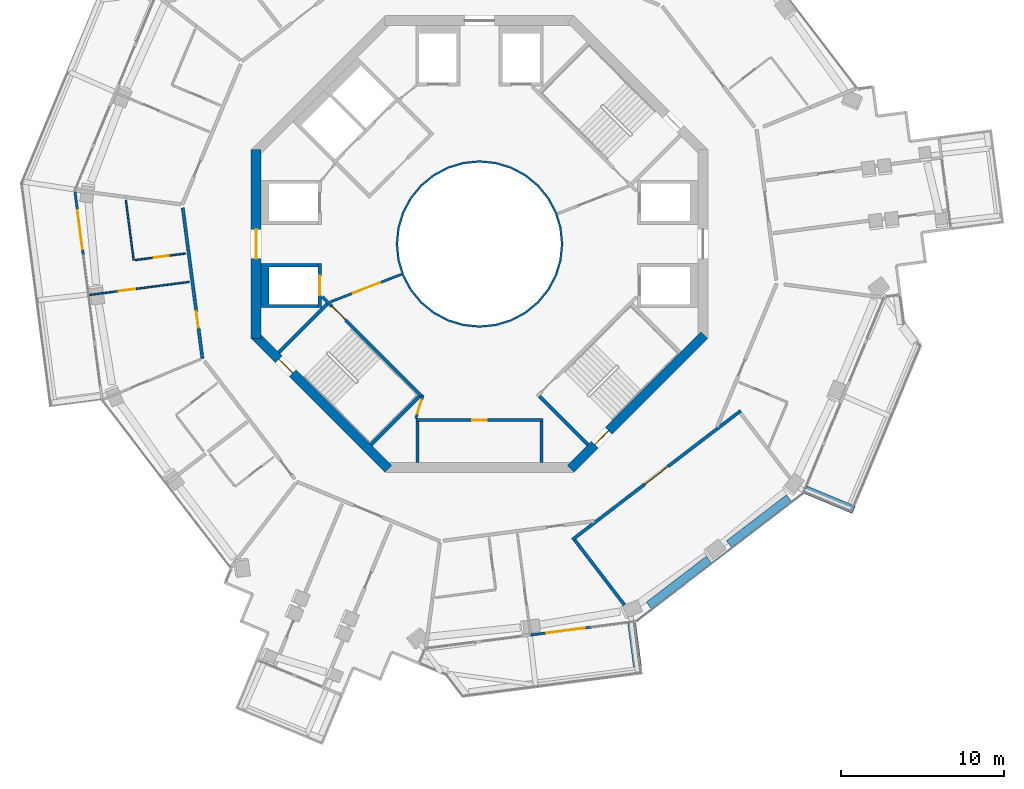
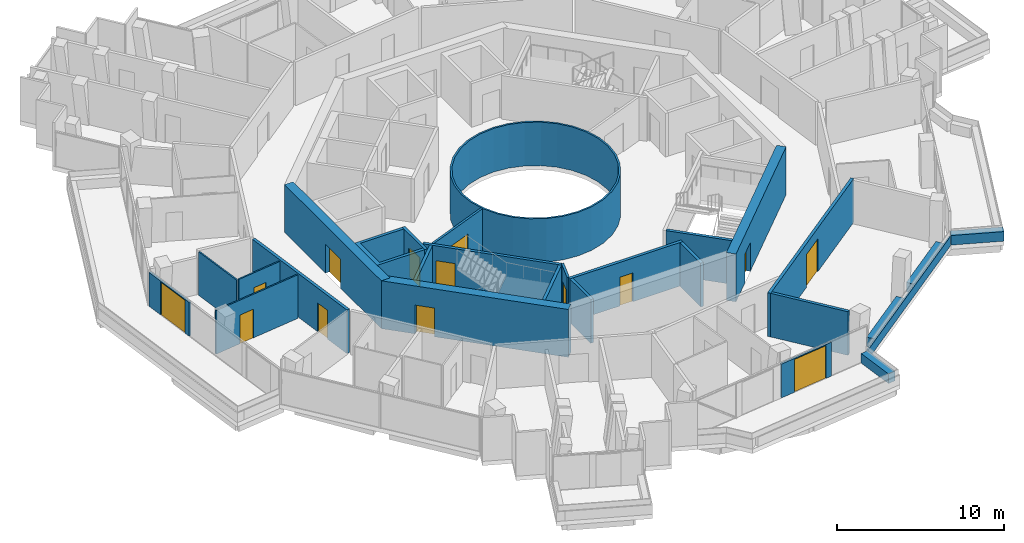
# One storey, part 18 of 25: 28 walls, 14 doors, 14 openings.
"""IFC4 building model written with IfcOpenShell, lengths in metres."""

from ifc_helpers import new_model, si_unit, direction, frame, frame_2d, origin, place, context, subcontext, project, spatial, polyline, rectangle, outline, extrude, material, layer, layer_set, type_object, element, fill, save


model = new_model("IFC4")

# Units and contexts
model_context = context("Model", 3, precision=1e-05, world=origin(), true_north=direction((0.0, 1.0)))
body_context = subcontext(model_context, "Body", "Model", "MODEL_VIEW")
ifc_project = project(units=[si_unit("LENGTHUNIT", "METRE"), si_unit("AREAUNIT", "SQUARE_METRE"), si_unit("VOLUMEUNIT", "CUBIC_METRE"), si_unit("PLANEANGLEUNIT", "RADIAN"), si_unit("MASSUNIT", "GRAM", prefix="KILO")], contexts=[model_context])

# Site, building, storey
site_placement = place(None, origin())
site = spatial("IfcSite", under=ifc_project, at=site_placement, CompositionType="ELEMENT")
building_placement = place(site_placement, origin())
building = spatial("IfcBuilding", under=site, at=building_placement, Name="Verdalira Terraces Hotel", CompositionType="ELEMENT")
storey_placement = place(building_placement, frame((0.0, 0.0, 187.0)))
storey = spatial("IfcBuildingStorey", under=building, at=storey_placement, Name="L45", CompositionType="ELEMENT", Elevation=187.0)

# Walls
ifc_material_1 = material(Name="Fire-resisting glass EI 180", Category="glass")
ifc_layer_1 = layer(ifc_material_1, 0.1201171875)
ifc_layer_set_1 = layer_set([ifc_layer_1], Name="Atrium fire screen 120 mm")
wall_type_1 = type_object("IfcWallType", Name="Atrium fire screen 120 mm", PredefinedType="SOLIDWALL", material=ifc_layer_set_1)
wall_1_placement = place(storey_placement, origin())
element("IfcWall", 1, at=wall_1_placement, inside=storey, type_object=wall_type_1, Name="Atrium fire screen", PredefinedType="SOLIDWALL", context=body_context, shape_type="SweptSolid", body=[
    extrude(outline(polyline([(5.021484, -0.998779), (4.730225, -1.959229), (4.25708, -2.844482), (3.620361, -3.620361), (2.844482, -4.25708), (1.959229, -4.730225), (0.998779, -5.021484), (0.0, -5.120117), (-0.998779, -5.021484), (-1.959229, -4.730225), (-2.844482, -4.25708), (-3.620361, -3.620361), (-4.25708, -2.844482), (-4.730225, -1.959229), (-5.021484, -0.998779), (-5.120117, 0.0), (-5.021484, 0.998779), (-4.730225, 1.959229), (-4.25708, 2.844482), (-3.620361, 3.620361), (-2.844482, 4.25708), (-1.959229, 4.730225), (-0.998779, 5.021484), (0.0, 5.120117), (0.998779, 5.021484), (1.959229, 4.730225), (2.844482, 4.25708), (3.620361, 3.620361), (4.25708, 2.844482), (4.730225, 1.959229), (5.021484, 0.998779), (5.120117, 0.0), (5.021484, -0.998779)]), holes=[polyline([(4.903809, 0.975586), (4.619385, 1.91333), (4.157227, 2.777832), (3.5354, 3.5354), (2.777832, 4.157227), (1.91333, 4.619385), (0.975586, 4.903809), (0.0, 5.0), (-0.975586, 4.903809), (-1.91333, 4.619385), (-2.777832, 4.157227), (-3.5354, 3.5354), (-4.157227, 2.777832), (-4.619385, 1.91333), (-4.903809, 0.975586), (-5.0, 0.0), (-4.903809, -0.975586), (-4.619385, -1.91333), (-4.157227, -2.777832), (-3.5354, -3.5354), (-2.777832, -4.157227), (-1.91333, -4.619385), (-0.975586, -4.903809), (0.0, -5.0), (0.975586, -4.903809), (1.91333, -4.619385), (2.777832, -4.157227), (3.5354, -3.5354), (4.157227, -2.777832), (4.619385, -1.91333), (4.903809, -0.975586), (5.0, 0.0), (4.903809, 0.975586)])]), origin(), (0.0, 0.0, 1.0), 3.189941),
])
ifc_material_2 = material(Name="Concrete C40", Category="concrete")
ifc_layer_2 = layer(ifc_material_2, 0.5)
ifc_layer_set_2 = layer_set([ifc_layer_2], Name="Balcony planter trough with tree")
wall_type_2 = type_object("IfcWallType", Name="Balcony planter trough with tree", PredefinedType="SOLIDWALL", material=ifc_layer_set_2)
wall_2_placement = place(storey_placement, frame((9.688232, -25.922119, 0.0), z_axis=(0.0, 0.0, 1.0), x_axis=(-0.129532535, 0.991575172, 0.0)))
element("IfcWall", 2, at=wall_2_placement, inside=storey, type_object=wall_type_2, Name="Balcony planter", PredefinedType="SOLIDWALL", context=body_context, shape_type="SweptSolid", body=[
    extrude(rectangle(XDim=2.698975, YDim=0.5, at=frame_2d((1.349609, 0.0))), origin(), (0.0, 0.0, 1.0), 0.699951),
])
wall_3_placement = place(storey_placement, frame((20.005127, -15.078857, 0.0), z_axis=(0.0, 0.0, 1.0), x_axis=(0.92348507, -0.383634365, 0.0)))
element("IfcWall", 3, at=wall_3_placement, inside=storey, type_object=wall_type_2, Name="Balcony planter", PredefinedType="SOLIDWALL", context=body_context, shape_type="SweptSolid", body=[
    extrude(rectangle(XDim=3.199219, YDim=0.5, at=frame_2d((1.599609, 0.0))), origin(), (0.0, 0.0, 1.0), 0.699951),
])
ifc_material_3 = material(Name="Moisture-resistant gypsum board partition")
ifc_layer_3 = layer(ifc_material_3, 0.10009765625)
ifc_layer_set_3 = layer_set([ifc_layer_3], Name="Bathroom partition 100 mm")
wall_type_3 = type_object("IfcWallType", Name="Bathroom partition 100 mm", PredefinedType="PARTITIONING", material=ifc_layer_set_3)
wall_4_placement = place(storey_placement, frame((-21.6875, 2.676514, 0.0), z_axis=(0.0, 0.0, 1.0), x_axis=(0.129460357, -0.991584598, 0.0)))
element("IfcWall", 4, at=wall_4_placement, inside=storey, type_object=wall_type_3, Name="Bathroom partition", PredefinedType="PARTITIONING", context=body_context, shape_type="SweptSolid", body=[
    extrude(rectangle(XDim=3.703857, YDim=0.100098, at=frame_2d((1.852051, 0.0))), origin(), (0.0, 0.0, 1.0), 3.189941),
])

# Wall, opening, door
wall_5_placement = place(storey_placement, frame((-23.905518, -3.121582, 0.0), z_axis=(0.0, 0.0, 1.0), x_axis=(0.991585795, 0.12945119, 0.0)))
wall_5 = element("IfcWall", 5, at=wall_5_placement, inside=storey, type_object=wall_type_3, Name="Bathroom partition", PredefinedType="PARTITIONING", context=body_context, shape_type="SweptSolid", body=[
    extrude(rectangle(XDim=6.150146, YDim=0.100098, at=frame_2d((3.075195, 0.0))), origin(), (0.0, 0.0, 1.0), 3.189941),
])
opening_1_placement = place(wall_5_placement, frame((1.800049, 0.0, 0.0)))
opening_1 = element("IfcOpeningElement", 6, at=opening_1_placement, cuts=wall_5, Name="Opening L45-108", PredefinedType="OPENING", context=body_context, shape_type="SweptSolid", body=[
    extrude(rectangle(XDim=1.0, YDim=2.100098, at=frame_2d((0.5, 1.050049))), frame((0.0, 0.060059, 0.0), z_axis=(0.0, -1.0, 0.0), x_axis=(1.0, 0.0, 0.0)), (0.0, 0.0, 1.0), 0.120117),
])
ifc_material_4 = material(Name="Timber door", Category="wood")
door_type_1 = type_object("IfcDoorType", Name="Suite internal door 1000 x 2100", OperationType="NOTDEFINED", PredefinedType="DOOR", material=ifc_material_4)
door_1_placement = place(opening_1_placement, origin())
door_1 = element("IfcDoor", 7, at=door_1_placement, inside=storey, type_object=door_type_1, Name="Suite internal door 4503", OperationType="SINGLE_SWING_LEFT", OverallHeight=2.10009765625, OverallWidth=1.0, PredefinedType="DOOR", context=body_context, shape_type="SweptSolid", body=[
    extrude(rectangle(XDim=1.0, YDim=2.100098, at=frame_2d((0.5, 1.050049))), frame((0.0, 0.024902, 0.0), z_axis=(0.0, -1.0, 0.0), x_axis=(1.0, 0.0, 0.0)), (0.0, 0.0, 1.0), 0.050049),
])
fill(opening_1, door_1)

wall_6_placement = place(storey_placement, frame((-21.108643, -0.983398, 0.0), z_axis=(0.0, 0.0, 1.0), x_axis=(0.991571841, 0.129558036, 0.0)))
wall_6 = element("IfcWall", 8, at=wall_6_placement, inside=storey, type_object=wall_type_3, Name="Bathroom partition", PredefinedType="PARTITIONING", context=body_context, shape_type="SweptSolid", body=[
    extrude(rectangle(XDim=3.099854, YDim=0.100098, at=frame_2d((1.549805, 0.0))), origin(), (0.0, 0.0, 1.0), 3.189941),
])
opening_2_placement = place(wall_6_placement, frame((1.149902, 0.0, 0.0)))
opening_2 = element("IfcOpeningElement", 9, at=opening_2_placement, cuts=wall_6, Name="Opening L45-110", PredefinedType="OPENING", context=body_context, shape_type="SweptSolid", body=[
    extrude(rectangle(XDim=0.899902, YDim=2.100098, at=frame_2d((0.449951, 1.050049))), frame((0.0, 0.060059, 0.0), z_axis=(0.0, -1.0, 0.0), x_axis=(1.0, 0.0, 0.0)), (0.0, 0.0, 1.0), 0.120117),
])
ifc_material_5 = material(Name="Timber door", Category="wood")
door_type_2 = type_object("IfcDoorType", Name="Bathroom door 900 x 2100", OperationType="NOTDEFINED", PredefinedType="DOOR", material=ifc_material_5)
door_2_placement = place(opening_2_placement, origin())
door_2 = element("IfcDoor", 10, at=door_2_placement, inside=storey, type_object=door_type_2, Name="Bathroom door 4503", OperationType="SINGLE_SWING_LEFT", OverallHeight=2.10009765625, OverallWidth=0.89990234375, PredefinedType="DOOR", context=body_context, shape_type="SweptSolid", body=[
    extrude(rectangle(XDim=0.899902, YDim=2.100098, at=frame_2d((0.449951, 1.050049))), frame((0.0, 0.024902, 0.0), z_axis=(0.0, -1.0, 0.0), x_axis=(1.0, 0.0, 0.0)), (0.0, 0.0, 1.0), 0.050049),
])
fill(opening_2, door_2)

# Wall
ifc_material_6 = material(Name="Concrete C50", Category="concrete")
ifc_layer_4 = layer(ifc_material_6, 0.199951171875)
ifc_layer_set_4 = layer_set([ifc_layer_4], Name="Core RC wall 200 C50")
wall_type_4 = type_object("IfcWallType", Name="Core RC wall 200 C50", PredefinedType="SOLIDWALL", material=ifc_layer_set_4)
wall_7_placement = place(storey_placement, origin())
element("IfcWall", 11, at=wall_7_placement, inside=storey, type_object=wall_type_4, Name="L45 shaft wall W2", PredefinedType="SOLIDWALL", context=body_context, shape_type="SweptSolid", body=[
    extrude(outline(polyline([(-13.399902, -3.899902), (-13.399902, -1.199951), (-9.899902, -1.199951), (-9.899902, -1.399902), (-12.899902, -1.399902), (-12.899902, -3.699951), (-9.899902, -3.699951), (-9.899902, -3.899902), (-13.399902, -3.899902)])), origin(), (0.0, 0.0, 1.0), 3.189941),
])

# Wall, opening, door
wall_8_placement = place(storey_placement, frame((-9.800049, -1.199951, 0.0), z_axis=(0.0, 0.0, 1.0), x_axis=(0.0, -1.0, 0.0)))
wall_8 = element("IfcWall", 12, at=wall_8_placement, inside=storey, type_object=wall_type_4, Name="L45 shaft front wall W2", PredefinedType="SOLIDWALL", context=body_context, shape_type="SweptSolid", body=[
    extrude(rectangle(XDim=2.699951, YDim=0.199951, at=frame_2d((1.350098, 0.0))), origin(), (0.0, 0.0, 1.0), 3.189941),
])
opening_3_placement = place(wall_8_placement, frame((0.75, 0.0, 0.0)))
opening_3 = element("IfcOpeningElement", 13, at=opening_3_placement, cuts=wall_8, Name="Opening LD-L45-807", PredefinedType="OPENING", context=body_context, shape_type="SweptSolid", body=[
    extrude(rectangle(XDim=1.199951, YDim=2.100098, at=frame_2d((0.600098, 1.050049))), frame((0.0, 0.109863, 0.0), z_axis=(0.0, -1.0, 0.0), x_axis=(1.0, 0.0, 0.0)), (0.0, 0.0, 1.0), 0.219971),
])
ifc_material_7 = material(Name="Stainless steel", Category="steel")
door_type_3 = type_object("IfcDoorType", Name="Landing door 1200 x 2100", OperationType="NOTDEFINED", PredefinedType="DOOR", material=ifc_material_7)
door_3_placement = place(opening_3_placement, origin())
door_3 = element("IfcDoor", 14, at=door_3_placement, inside=storey, type_object=door_type_3, Name="Lift landing door HR6 L45", OperationType="DOUBLE_DOOR_SLIDING", OverallHeight=2.10009765625, OverallWidth=1.199951171875, PredefinedType="DOOR", context=body_context, shape_type="SweptSolid", body=[
    extrude(rectangle(XDim=1.199951, YDim=2.100098, at=frame_2d((0.600098, 1.050049))), frame((0.0, 0.024902, 0.0), z_axis=(0.0, -1.0, 0.0), x_axis=(1.0, 0.0, 0.0)), (0.0, 0.0, 1.0), 0.050049),
])
fill(opening_3, door_3)

wall_9_placement = place(storey_placement, frame((-3.899902, -10.800049, 0.0), z_axis=(0.0, 0.0, 1.0), x_axis=(1.0, 0.0, 0.0)))
wall_9 = element("IfcWall", 15, at=wall_9_placement, inside=storey, type_object=wall_type_4, Name="L45 store front wall", PredefinedType="SOLIDWALL", context=body_context, shape_type="SweptSolid", body=[
    extrude(rectangle(XDim=7.799805, YDim=0.199951, at=frame_2d((3.899902, 0.0))), origin(), (0.0, 0.0, 1.0), 3.189941),
])
opening_4_placement = place(wall_9_placement, frame((3.449951, 0.0, 0.0)))
opening_4 = element("IfcOpeningElement", 16, at=opening_4_placement, cuts=wall_9, Name="Opening L45-801", PredefinedType="OPENING", context=body_context, shape_type="SweptSolid", body=[
    extrude(rectangle(XDim=0.899902, YDim=2.100098, at=frame_2d((0.449951, 1.050049))), frame((0.0, 0.109863, 0.0), z_axis=(0.0, -1.0, 0.0), x_axis=(1.0, 0.0, 0.0)), (0.0, 0.0, 1.0), 0.219971),
])
ifc_material_8 = material(Name="Steel fire door", Category="steel")
door_type_4 = type_object("IfcDoorType", Name="Core room door 900 x 2100", OperationType="NOTDEFINED", PredefinedType="DOOR", material=ifc_material_8)
door_4_placement = place(opening_4_placement, origin())
door_4 = element("IfcDoor", 17, at=door_4_placement, inside=storey, type_object=door_type_4, Name="Store door L45 SS", OperationType="SINGLE_SWING_LEFT", OverallHeight=2.10009765625, OverallWidth=0.89990234375, PredefinedType="DOOR", context=body_context, shape_type="SweptSolid", body=[
    extrude(rectangle(XDim=0.899902, YDim=2.100098, at=frame_2d((0.449951, 1.050049))), frame((0.0, 0.024902, 0.0), z_axis=(0.0, -1.0, 0.0), x_axis=(1.0, 0.0, 0.0)), (0.0, 0.0, 1.0), 0.050049),
])
fill(opening_4, door_4)

# Walls
for number, where, z_axis, x_axis, name in (
    (18, (-3.800049, -10.899902, 0.0), (0.0, 0.0, 1.0), (0.0, -1.0, 0.0), "L45 store side wall"),
    (19, (3.800049, -10.899902, 0.0), (0.0, 0.0, 1.0), (0.0, -1.0, 0.0), "L45 store side wall"),
):
    element("IfcWall", number, at=place(storey_placement, frame(where, z_axis=z_axis, x_axis=x_axis)), inside=storey, type_object=wall_type_4, Name=name, PredefinedType="SOLIDWALL", context=body_context, shape_type="SweptSolid", body=[
        extrude(rectangle(XDim=2.5, YDim=0.199951, at=frame_2d((1.25, 0.0))), origin(), (0.0, 0.0, 1.0), 3.189941),
    ])

# Wall, opening, door
wall_10_placement = place(storey_placement, frame((-3.5354, -9.33374, 0.0), z_axis=(0.0, 0.0, 1.0), x_axis=(-0.707120946, 0.707092617, 0.0)))
wall_10 = element("IfcWall", 20, at=wall_10_placement, inside=storey, type_object=wall_type_4, Name="L45 stair ST2 front wall", PredefinedType="SOLIDWALL", context=body_context, shape_type="SweptSolid", body=[
    extrude(rectangle(XDim=8.61792, YDim=0.199951, at=frame_2d((4.309082, 0.0))), origin(), (0.0, 0.0, 1.0), 3.189941),
])
opening_5_placement = place(wall_10_placement, frame((6.600098, 0.0, 0.0)))
opening_5 = element("IfcOpeningElement", 21, at=opening_5_placement, cuts=wall_10, Name="Opening L45-811", PredefinedType="OPENING", context=body_context, shape_type="SweptSolid", body=[
    extrude(rectangle(XDim=1.199951, YDim=2.100098, at=frame_2d((0.600098, 1.050049))), frame((0.0, 0.109863, 0.0), z_axis=(0.0, -1.0, 0.0), x_axis=(1.0, 0.0, 0.0)), (0.0, 0.0, 1.0), 0.219971),
])
ifc_material_9 = material(Name="Steel fire door", Category="steel")
door_type_5 = type_object("IfcDoorType", Name="Stair door 1200 x 2100", OperationType="NOTDEFINED", PredefinedType="DOOR", material=ifc_material_9)
door_5_placement = place(opening_5_placement, origin())
door_5 = element("IfcDoor", 22, at=door_5_placement, inside=storey, type_object=door_type_5, Name="Stair door ST2 L45", OperationType="SINGLE_SWING_RIGHT", OverallHeight=2.10009765625, OverallWidth=1.199951171875, PredefinedType="DOOR", context=body_context, shape_type="SweptSolid", body=[
    extrude(rectangle(XDim=1.199951, YDim=2.100098, at=frame_2d((0.600098, 1.050049))), frame((0.0, 0.024902, 0.0), z_axis=(0.0, -1.0, 0.0), x_axis=(1.0, 0.0, 0.0)), (0.0, 0.0, 1.0), 0.050049),
])
fill(opening_5, door_5)

# Walls
for number, where, z_axis, x_axis, name in (
    (23, (-9.33374, -3.677002, 0.0), (0.0, 0.0, 1.0), (-0.707135845, -0.707077716, 0.0), "L45 stair ST2 end wall 1"),
    (24, (-3.677002, -9.33374, 0.0), (0.0, 0.0, 1.0), (-0.707077716, -0.707135845, 0.0), "L45 stair ST2 end wall 2"),
    (25, (3.677002, -9.33374, 0.0), (0.0, 0.0, 1.0), (0.707077716, -0.707135845, 0.0), "L45 stair ST3 end wall 1"),
):
    element("IfcWall", number, at=place(storey_placement, frame(where, z_axis=z_axis, x_axis=x_axis)), inside=storey, type_object=wall_type_4, Name=name, PredefinedType="SOLIDWALL", context=body_context, shape_type="SweptSolid", body=[
        extrude(rectangle(XDim=4.199951, YDim=0.199951, at=frame_2d((2.100098, 0.0))), origin(), (0.0, 0.0, 1.0), 3.189941),
    ])

# Wall, opening, door
ifc_material_10 = material(Name="Gypsum board partition")
ifc_layer_5 = layer(ifc_material_10, 0.14990234375)
ifc_layer_set_5 = layer_set([ifc_layer_5], Name="Core partition 150 mm")
wall_type_5 = type_object("IfcWallType", Name="Core partition 150 mm", PredefinedType="PARTITIONING", material=ifc_layer_set_5)
wall_11_placement = place(storey_placement, frame((-3.464844, -9.263184, 0.0), z_axis=(0.0, 0.0, 1.0), x_axis=(-0.289808785, -0.957084567, 0.0)))
wall_11 = element("IfcWall", 26, at=wall_11_placement, inside=storey, type_object=wall_type_5, Name="Room partition L45", PredefinedType="PARTITIONING", context=body_context, shape_type="SweptSolid", body=[
    extrude(rectangle(XDim=1.501221, YDim=0.149902, at=frame_2d((0.750488, 0.0))), origin(), (0.0, 0.0, 1.0), 3.189941),
])
opening_6_placement = place(wall_11_placement, frame((0.300781, 0.0, 0.0)))
opening_6 = element("IfcOpeningElement", 27, at=opening_6_placement, cuts=wall_11, Name="Opening L45-822", PredefinedType="OPENING", context=body_context, shape_type="SweptSolid", body=[
    extrude(rectangle(XDim=0.899902, YDim=2.100098, at=frame_2d((0.449951, 1.050049))), frame((0.0, 0.084961, 0.0), z_axis=(0.0, -1.0, 0.0), x_axis=(1.0, 0.0, 0.0)), (0.0, 0.0, 1.0), 0.169922),
])
door_6_placement = place(opening_6_placement, origin())
door_6 = element("IfcDoor", 28, at=door_6_placement, inside=storey, type_object=door_type_4, Name="Door L45 room5", OperationType="SINGLE_SWING_LEFT", OverallHeight=2.10009765625, OverallWidth=0.89990234375, PredefinedType="DOOR", context=body_context, shape_type="SweptSolid", body=[
    extrude(rectangle(XDim=0.899902, YDim=2.100098, at=frame_2d((0.449951, 1.050049))), frame((0.0, 0.024902, 0.0), z_axis=(0.0, -1.0, 0.0), x_axis=(1.0, 0.0, 0.0)), (0.0, 0.0, 1.0), 0.050049),
])
fill(opening_6, door_6)

wall_12_placement = place(storey_placement, frame((-4.781982, -1.857178, 0.0), z_axis=(0.0, 0.0, 1.0), x_axis=(-0.932157474, -0.362053096, 0.0)))
wall_12 = element("IfcWall", 29, at=wall_12_placement, inside=storey, type_object=wall_type_5, Name="Gallery fire partition L45", PredefinedType="PARTITIONING", context=body_context, shape_type="SweptSolid", body=[
    extrude(rectangle(XDim=4.675049, YDim=0.149902, at=frame_2d((2.337402, 0.0))), origin(), (0.0, 0.0, 1.0), 3.189941),
])
opening_7_placement = place(wall_12_placement, frame((1.399902, 0.0, 0.0)))
opening_7 = element("IfcOpeningElement", 30, at=opening_7_placement, cuts=wall_12, Name="Opening L45-824", PredefinedType="OPENING", context=body_context, shape_type="SweptSolid", body=[
    extrude(rectangle(XDim=1.800049, YDim=2.100098, at=frame_2d((0.899902, 1.050049))), frame((0.0, 0.084961, 0.0), z_axis=(0.0, -1.0, 0.0), x_axis=(1.0, 0.0, 0.0)), (0.0, 0.0, 1.0), 0.169922),
])
ifc_material_11 = material(Name="Steel fire door", Category="steel")
door_type_6 = type_object("IfcDoorType", Name="Gallery fire door pair 1800 x 2100", OperationType="NOTDEFINED", PredefinedType="DOOR", material=ifc_material_11)
door_7_placement = place(opening_7_placement, origin())
door_7 = element("IfcDoor", 31, at=door_7_placement, inside=storey, type_object=door_type_6, Name="Door L45 split4", OperationType="DOUBLE_DOOR_SINGLE_SWING", OverallHeight=2.10009765625, OverallWidth=1.800048828125, PredefinedType="DOOR", context=body_context, shape_type="SweptSolid", body=[
    extrude(rectangle(XDim=1.800049, YDim=2.100098, at=frame_2d((0.899902, 1.050049))), frame((0.0, 0.024902, 0.0), z_axis=(0.0, -1.0, 0.0), x_axis=(1.0, 0.0, 0.0)), (0.0, 0.0, 1.0), 0.050049),
])
fill(opening_7, door_7)

ifc_material_12 = material(Name="Concrete C60", Category="concrete")
ifc_layer_6 = layer(ifc_material_12, 0.60009765625)
ifc_layer_set_6 = layer_set([ifc_layer_6], Name="Core wall 600 C60")
wall_type_6 = type_object("IfcWallType", Name="Core wall 600 C60", PredefinedType="SHEAR", material=ifc_layer_set_6)
wall_13_placement = place(storey_placement, frame((-13.699951, 5.799072, 0.0), z_axis=(0.0, 0.0, 1.0), x_axis=(0.0, -1.0, 0.0)))
wall_13 = element("IfcWall", 32, at=wall_13_placement, inside=storey, type_object=wall_type_6, Name="Core wall CW-L45-5", PredefinedType="SHEAR", context=body_context, shape_type="SweptSolid", body=[
    extrude(rectangle(XDim=11.598145, YDim=0.600098, at=frame_2d((5.799072, 0.0))), origin(), (0.0, 0.0, 1.0), 3.5),
])
opening_8_placement = place(wall_13_placement, frame((4.898926, 0.0, 0.0)))
opening_8 = element("IfcOpeningElement", 33, at=opening_8_placement, cuts=wall_13, Name="Opening L45-815", PredefinedType="OPENING", context=body_context, shape_type="SweptSolid", body=[
    extrude(rectangle(XDim=1.800049, YDim=2.100098, at=frame_2d((0.899902, 1.050049))), frame((0.0, 0.310059, 0.0), z_axis=(0.0, -1.0, 0.0), x_axis=(1.0, 0.0, 0.0)), (0.0, 0.0, 1.0), 0.620117),
])
ifc_material_13 = material(Name="Steel fire door", Category="steel")
door_type_7 = type_object("IfcDoorType", Name="Core entry door pair 1800 x 2100", OperationType="NOTDEFINED", PredefinedType="DOOR", material=ifc_material_13)
door_8_placement = place(opening_8_placement, origin())
door_8 = element("IfcDoor", 34, at=door_8_placement, inside=storey, type_object=door_type_7, Name="Core entry door L45 4", OperationType="DOUBLE_DOOR_SINGLE_SWING", OverallHeight=2.10009765625, OverallWidth=1.800048828125, PredefinedType="DOOR", context=body_context, shape_type="SweptSolid", body=[
    extrude(rectangle(XDim=1.800049, YDim=2.100098, at=frame_2d((0.899902, 1.050049))), frame((0.0, 0.024902, 0.0), z_axis=(0.0, -1.0, 0.0), x_axis=(1.0, 0.0, 0.0)), (0.0, 0.0, 1.0), 0.050049),
])
fill(opening_8, door_8)

wall_14_placement = place(storey_placement, frame((-13.787842, -5.586914, 0.0), z_axis=(0.0, 0.0, 1.0), x_axis=(0.707106781, -0.707106781, 0.0)))
wall_14 = element("IfcWall", 35, at=wall_14_placement, inside=storey, type_object=wall_type_6, Name="Core wall CW-L45-6", PredefinedType="SHEAR", context=body_context, shape_type="SweptSolid", body=[
    extrude(rectangle(XDim=11.5979, YDim=0.600098, at=frame_2d((5.798828, 0.0))), origin(), (0.0, 0.0, 1.0), 3.5),
])
opening_9_placement = place(wall_14_placement, frame((2.099121, 0.0, 0.0)))
opening_9 = element("IfcOpeningElement", 36, at=opening_9_placement, cuts=wall_14, Name="Opening L45-817", PredefinedType="OPENING", context=body_context, shape_type="SweptSolid", body=[
    extrude(rectangle(XDim=1.199951, YDim=2.100098, at=frame_2d((0.600098, 1.050049))), frame((0.0, 0.310059, 0.0), z_axis=(0.0, -1.0, 0.0), x_axis=(1.0, 0.0, 0.0)), (0.0, 0.0, 1.0), 0.620117),
])
door_9_placement = place(opening_9_placement, origin())
door_9 = element("IfcDoor", 37, at=door_9_placement, inside=storey, type_object=door_type_5, Name="Stair exit door ST2 L45", OperationType="SINGLE_SWING_LEFT", OverallHeight=2.10009765625, OverallWidth=1.199951171875, PredefinedType="DOOR", context=body_context, shape_type="SweptSolid", body=[
    extrude(rectangle(XDim=1.199951, YDim=2.100098, at=frame_2d((0.600098, 1.050049))), frame((0.0, 0.024902, 0.0), z_axis=(0.0, -1.0, 0.0), x_axis=(1.0, 0.0, 0.0)), (0.0, 0.0, 1.0), 0.050049),
])
fill(opening_9, door_9)

wall_15_placement = place(storey_placement, frame((5.586914, -13.787842, 0.0), z_axis=(0.0, 0.0, 1.0), x_axis=(0.707106781, 0.707106781, 0.0)))
wall_15 = element("IfcWall", 38, at=wall_15_placement, inside=storey, type_object=wall_type_6, Name="Core wall CW-L45-8", PredefinedType="SHEAR", context=body_context, shape_type="SweptSolid", body=[
    extrude(rectangle(XDim=11.5979, YDim=0.600098, at=frame_2d((5.798828, 0.0))), origin(), (0.0, 0.0, 1.0), 3.5),
])
opening_10_placement = place(wall_15_placement, frame((2.099121, 0.0, 0.0)))
opening_10 = element("IfcOpeningElement", 39, at=opening_10_placement, cuts=wall_15, Name="Opening L45-818", PredefinedType="OPENING", context=body_context, shape_type="SweptSolid", body=[
    extrude(rectangle(XDim=1.199951, YDim=2.100098, at=frame_2d((0.600098, 1.050049))), frame((0.0, 0.310059, 0.0), z_axis=(0.0, -1.0, 0.0), x_axis=(1.0, 0.0, 0.0)), (0.0, 0.0, 1.0), 0.620117),
])
door_10_placement = place(opening_10_placement, origin())
door_10 = element("IfcDoor", 40, at=door_10_placement, inside=storey, type_object=door_type_5, Name="Stair exit door ST3 L45", OperationType="SINGLE_SWING_LEFT", OverallHeight=2.10009765625, OverallWidth=1.199951171875, PredefinedType="DOOR", context=body_context, shape_type="SweptSolid", body=[
    extrude(rectangle(XDim=1.199951, YDim=2.100098, at=frame_2d((0.600098, 1.050049))), frame((0.0, 0.024902, 0.0), z_axis=(0.0, -1.0, 0.0), x_axis=(1.0, 0.0, 0.0)), (0.0, 0.0, 1.0), 0.050049),
])
fill(opening_10, door_10)

ifc_material_14 = material(Name="Fire-rated gypsum board wall")
ifc_layer_7 = layer(ifc_material_14, 0.199951171875)
ifc_layer_set_7 = layer_set([ifc_layer_7], Name="Guest corridor wall 200 mm")
wall_type_7 = type_object("IfcWallType", Name="Guest corridor wall 200 mm", PredefinedType="SOLIDWALL", material=ifc_layer_set_7)
wall_16_placement = place(storey_placement, frame((-16.992676, -7.017822, 0.0), z_axis=(0.0, 0.0, 1.0), x_axis=(-0.129502741, 0.991579064, 0.0)))
wall_16 = element("IfcWall", 41, at=wall_16_placement, inside=storey, type_object=wall_type_7, Name="Guest corridor wall", PredefinedType="SOLIDWALL", context=body_context, shape_type="SweptSolid", body=[
    extrude(rectangle(XDim=9.31665, YDim=0.199951, at=frame_2d((4.658203, 0.0))), origin(), (0.0, 0.0, 1.0), 3.189941),
])
opening_11_placement = place(wall_16_placement, frame((1.899902, 0.0, 0.0)))
opening_11 = element("IfcOpeningElement", 42, at=opening_11_placement, cuts=wall_16, Name="Opening L45-107", PredefinedType="OPENING", context=body_context, shape_type="SweptSolid", body=[
    extrude(rectangle(XDim=1.0, YDim=2.100098, at=frame_2d((0.5, 1.050049))), frame((0.0, 0.109863, 0.0), z_axis=(0.0, -1.0, 0.0), x_axis=(1.0, 0.0, 0.0)), (0.0, 0.0, 1.0), 0.219971),
])
ifc_material_15 = material(Name="Timber fire door", Category="wood")
door_type_8 = type_object("IfcDoorType", Name="Guest entry door 1000 x 2100", OperationType="NOTDEFINED", PredefinedType="DOOR", material=ifc_material_15)
door_11_placement = place(opening_11_placement, origin())
door_11 = element("IfcDoor", 43, at=door_11_placement, inside=storey, type_object=door_type_8, Name="Guest entry door 4503", OperationType="SINGLE_SWING_LEFT", OverallHeight=2.10009765625, OverallWidth=1.0, PredefinedType="DOOR", context=body_context, shape_type="SweptSolid", body=[
    extrude(rectangle(XDim=1.0, YDim=2.100098, at=frame_2d((0.5, 1.050049))), frame((0.0, 0.024902, 0.0), z_axis=(0.0, -1.0, 0.0), x_axis=(1.0, 0.0, 0.0)), (0.0, 0.0, 1.0), 0.050049),
])
fill(opening_11, door_11)

ifc_material_16 = material(Name="Terracotta cladding", Category="masonry")
ifc_layer_8 = layer(ifc_material_16, 0.199951171875)
ifc_layer_set_8 = layer_set([ifc_layer_8], Name="Loggia back wall 200")
wall_type_8 = type_object("IfcWallType", Name="Loggia back wall 200", PredefinedType="SOLIDWALL", material=ifc_layer_set_8)
wall_17_placement = place(storey_placement, frame((16.017578, -10.227783, 0.0), z_axis=(0.0, 0.0, 1.0), x_axis=(-0.793988274, -0.607933072, 0.0)))
wall_17 = element("IfcWall", 44, at=wall_17_placement, inside=storey, type_object=wall_type_8, Name="Loggia back wall", PredefinedType="SOLIDWALL", context=body_context, shape_type="SweptSolid", body=[
    extrude(rectangle(XDim=13.0, YDim=0.199951, at=frame_2d((6.5, 0.0))), origin(), (0.0, 0.0, 1.0), 3.189941),
])
opening_12_placement = place(wall_17_placement, frame((5.600098, 0.0, 0.0)))
opening_12 = element("IfcOpeningElement", 45, at=opening_12_placement, cuts=wall_17, Name="Opening L45-L01", PredefinedType="OPENING", context=body_context, shape_type="SweptSolid", body=[
    extrude(rectangle(XDim=1.800049, YDim=2.399902, at=frame_2d((0.899902, 1.199951))), frame((0.0, 0.109863, 0.0), z_axis=(0.0, -1.0, 0.0), x_axis=(1.0, 0.0, 0.0)), (0.0, 0.0, 1.0), 0.219971),
])
ifc_material_17 = material(Name="Clear glass", Category="glass")
door_type_9 = type_object("IfcDoorType", Name="Garden double door 1800x2400", OperationType="NOTDEFINED", PredefinedType="DOOR", material=ifc_material_17)
door_12_placement = place(opening_12_placement, origin())
door_12 = element("IfcDoor", 46, at=door_12_placement, inside=storey, type_object=door_type_9, Name="Loggia double door", OperationType="DOUBLE_DOOR_SINGLE_SWING", OverallHeight=2.39990234375, OverallWidth=1.800048828125, PredefinedType="DOOR", context=body_context, shape_type="SweptSolid", body=[
    extrude(rectangle(XDim=1.800049, YDim=2.399902, at=frame_2d((0.899902, 1.199951))), frame((0.0, 0.024902, 0.0), z_axis=(0.0, -1.0, 0.0), x_axis=(1.0, 0.0, 0.0)), (0.0, 0.0, 1.0), 0.050049),
])
fill(opening_12, door_12)

# Walls
wall_18_placement = place(storey_placement, frame((8.888184, -22.135986, 0.0), z_axis=(0.0, 0.0, 1.0), x_axis=(-0.607913856, 0.794002987, 0.0)))
element("IfcWall", 47, at=wall_18_placement, inside=storey, type_object=wall_type_8, Name="Loggia side wall", PredefinedType="SOLIDWALL", context=body_context, shape_type="SweptSolid", body=[
    extrude(rectangle(XDim=5.020752, YDim=0.199951, at=frame_2d((2.510254, 0.0))), origin(), (0.0, 0.0, 1.0), 3.189941),
])
ifc_material_18 = material(Name="Concrete C40", Category="concrete")
ifc_layer_9 = layer(ifc_material_18, 0.5)
ifc_layer_set_9 = layer_set([ifc_layer_9], Name="Loggia planter trough with tree")
wall_type_9 = type_object("IfcWallType", Name="Loggia planter trough with tree", PredefinedType="SOLIDWALL", material=ifc_layer_set_9)
wall_19_placement = place(storey_placement, frame((10.380127, -22.164062, 0.0), z_axis=(0.0, 0.0, 1.0), x_axis=(0.793958252, 0.60797228, 0.0)))
element("IfcWall", 48, at=wall_19_placement, inside=storey, type_object=wall_type_9, Name="Loggia planter", PredefinedType="SOLIDWALL", context=body_context, shape_type="SweptSolid", body=[
    extrude(rectangle(XDim=4.632568, YDim=0.5, at=frame_2d((2.316406, 0.0))), origin(), (0.0, 0.0, 1.0), 0.699951),
])
wall_20_placement = place(storey_placement, frame((15.297852, -18.398682, 0.0), z_axis=(0.0, 0.0, 1.0), x_axis=(0.793980499, 0.607943227, 0.0)))
element("IfcWall", 49, at=wall_20_placement, inside=storey, type_object=wall_type_9, Name="Loggia planter", PredefinedType="SOLIDWALL", context=body_context, shape_type="SweptSolid", body=[
    extrude(rectangle(XDim=4.629883, YDim=0.5, at=frame_2d((2.314941, 0.0))), origin(), (0.0, 0.0, 1.0), 0.699951),
])
ifc_material_19 = material(Name="Concrete C40", Category="concrete")
ifc_layer_10 = layer(ifc_material_19, 0.10009765625)
ifc_layer_set_10 = layer_set([ifc_layer_10], Name="Loggia upstand 100")
wall_type_10 = type_object("IfcWallType", Name="Loggia upstand 100", PredefinedType="SOLIDWALL", material=ifc_layer_set_10)
wall_21_placement = place(storey_placement, frame((9.619629, -23.124023, 0.0), z_axis=(0.0, 0.0, 1.0), x_axis=(0.79399609, 0.607922865, 0.0)))
element("IfcWall", 50, at=wall_21_placement, inside=storey, type_object=wall_type_10, Name="Loggia upstand", PredefinedType="SOLIDWALL", context=body_context, shape_type="SweptSolid", body=[
    extrude(rectangle(XDim=12.839844, YDim=0.100098, at=frame_2d((6.419922, 0.0))), origin(), (0.0, 0.0, 1.0), 0.699951),
])

# Wall, opening, door
ifc_material_20 = material(Name="Terracotta cladding", Category="masonry")
ifc_layer_11 = layer(ifc_material_20, 0.14990234375)
ifc_layer_set_11 = layer_set([ifc_layer_11], Name="Terracotta door pier 150")
wall_type_11 = type_object("IfcWallType", Name="Terracotta door pier 150", PredefinedType="SOLIDWALL", material=ifc_layer_set_11)
wall_22_placement = place(storey_placement, frame((-24.80835, 3.2146, 0.0), z_axis=(0.0, 0.0, 1.0), x_axis=(0.129470718, -0.991583246, 0.0)))
wall_22 = element("IfcWall", 51, at=wall_22_placement, inside=storey, type_object=wall_type_11, Name="Terracotta door pier", PredefinedType="SOLIDWALL", context=body_context, shape_type="SweptSolid", body=[
    extrude(rectangle(XDim=3.967529, YDim=0.149902, at=frame_2d((1.983887, 0.0))), origin(), (0.0, 0.0, 1.0), 2.475098),
])
opening_13_placement = place(wall_22_placement, frame((1.167236, 0.0, 0.0)))
opening_13 = element("IfcOpeningElement", 52, at=opening_13_placement, cuts=wall_22, Name="Opening L45-B03", PredefinedType="OPENING", context=body_context, shape_type="SweptSolid", body=[
    extrude(rectangle(XDim=2.399902, YDim=2.399902, at=frame_2d((1.199951, 1.199951))), frame((0.0, 0.084961, 0.0), z_axis=(0.0, -1.0, 0.0), x_axis=(1.0, 0.0, 0.0)), (0.0, 0.0, 1.0), 0.169922),
])
ifc_material_21 = material(Name="Clear glass", Category="glass")
door_type_10 = type_object("IfcDoorType", Name="Balcony sliding door 2400x2400", OperationType="NOTDEFINED", PredefinedType="DOOR", material=ifc_material_21)
door_13_placement = place(opening_13_placement, origin())
door_13 = element("IfcDoor", 53, at=door_13_placement, inside=storey, type_object=door_type_10, Name="Balcony sliding door", OperationType="SLIDING_TO_LEFT", OverallHeight=2.39990234375, OverallWidth=2.39990234375, PredefinedType="DOOR", context=body_context, shape_type="SweptSolid", body=[
    extrude(rectangle(XDim=2.399902, YDim=2.399902, at=frame_2d((1.199951, 1.199951))), frame((0.0, 0.024902, 0.0), z_axis=(0.0, -1.0, 0.0), x_axis=(1.0, 0.0, 0.0)), (0.0, 0.0, 1.0), 0.050049),
])
fill(opening_13, door_13)

wall_23_placement = place(storey_placement, frame((3.131348, -23.979736, 0.0), z_axis=(0.0, 0.0, 1.0), x_axis=(0.991580855, 0.129489023, 0.0)))
wall_23 = element("IfcWall", 54, at=wall_23_placement, inside=storey, type_object=wall_type_11, Name="Terracotta door pier", PredefinedType="SOLIDWALL", context=body_context, shape_type="SweptSolid", body=[
    extrude(rectangle(XDim=3.761475, YDim=0.149902, at=frame_2d((1.880859, 0.0))), origin(), (0.0, 0.0, 1.0), 2.475098),
])
opening_14_placement = place(wall_23_placement, frame((0.961182, 0.0, 0.0)))
opening_14 = element("IfcOpeningElement", 55, at=opening_14_placement, cuts=wall_23, Name="Opening L45-B07", PredefinedType="OPENING", context=body_context, shape_type="SweptSolid", body=[
    extrude(rectangle(XDim=2.399902, YDim=2.399902, at=frame_2d((1.199951, 1.199951))), frame((0.0, 0.084961, 0.0), z_axis=(0.0, -1.0, 0.0), x_axis=(1.0, 0.0, 0.0)), (0.0, 0.0, 1.0), 0.169922),
])
door_14_placement = place(opening_14_placement, origin())
door_14 = element("IfcDoor", 56, at=door_14_placement, inside=storey, type_object=door_type_10, Name="Balcony sliding door", OperationType="SLIDING_TO_LEFT", OverallHeight=2.39990234375, OverallWidth=2.39990234375, PredefinedType="DOOR", context=body_context, shape_type="SweptSolid", body=[
    extrude(rectangle(XDim=2.399902, YDim=2.399902, at=frame_2d((1.199951, 1.199951))), frame((0.0, 0.024902, 0.0), z_axis=(0.0, -1.0, 0.0), x_axis=(1.0, 0.0, 0.0)), (0.0, 0.0, 1.0), 0.050049),
])
fill(opening_14, door_14)

save(model, "model.ifc")
